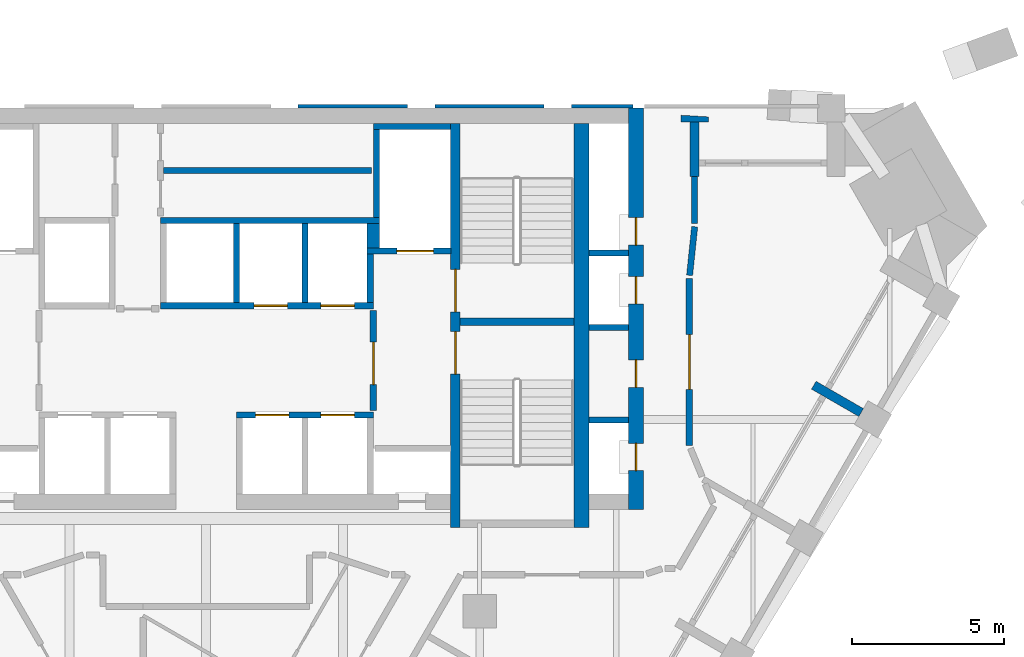
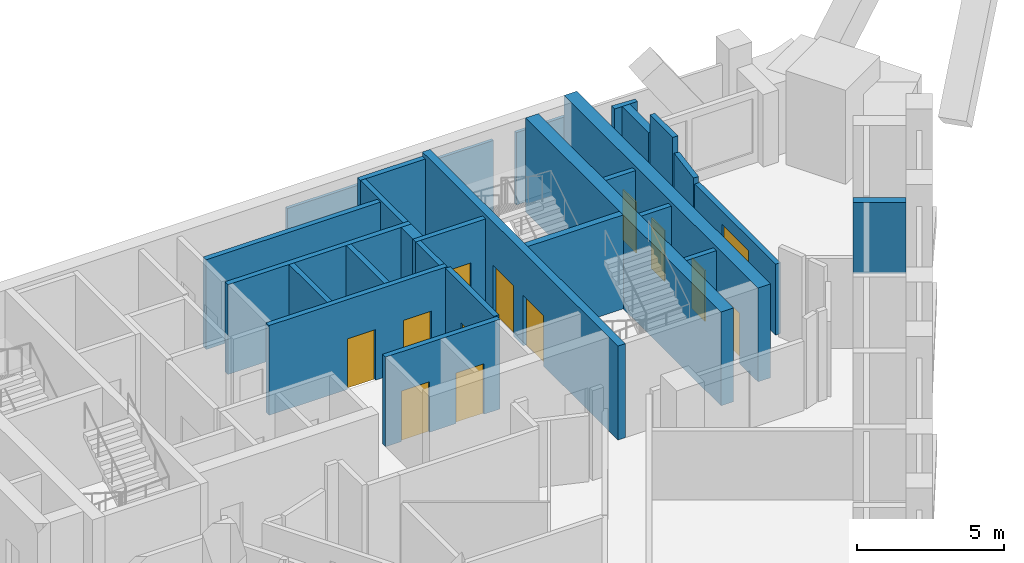
# One storey, part 7 of 9: 28 walls, 13 doors, 13 openings.
"""IFC4 building model written with IfcOpenShell, lengths in metres."""

from ifc_helpers import new_model, si_unit, direction, frame, frame_2d, origin, place, context, subcontext, project, spatial, polyline, rectangle, outline, extrude, material, layer, layer_set, type_object, element, fill, save


model = new_model("IFC4")

# Units and contexts
model_context = context("Model", 3, precision=1e-05, world=origin(), true_north=direction((0.0, 1.0)))
body_context = subcontext(model_context, "Body", "Model", "MODEL_VIEW")
ifc_project = project(units=[si_unit("LENGTHUNIT", "METRE"), si_unit("AREAUNIT", "SQUARE_METRE"), si_unit("VOLUMEUNIT", "CUBIC_METRE"), si_unit("PLANEANGLEUNIT", "RADIAN"), si_unit("MASSUNIT", "GRAM", prefix="KILO")], contexts=[model_context])

# Site, building, storey
site_placement = place(None, origin())
site = spatial("IfcSite", under=ifc_project, at=site_placement, CompositionType="ELEMENT")
building_placement = place(site_placement, origin())
building = spatial("IfcBuilding", under=site, at=building_placement, Name="Calabash Gate Tower", CompositionType="ELEMENT")
storey_placement = place(building_placement, frame((0.0, 0.0, 235.39990234375)))
storey = spatial("IfcBuildingStorey", under=building, at=storey_placement, Name="L56", CompositionType="ELEMENT", Elevation=235.39990234375)

# Walls
ifc_material_1 = material(Name="Terracotta brick masonry, exposed face", Category="masonry")
ifc_layer_1 = layer(ifc_material_1, 0.89990234375)
ifc_layer_set_1 = layer_set([ifc_layer_1], Name="Brick end wall 900")
wall_type_1 = type_object("IfcWallType", Name="Brick end wall 900", PredefinedType="SOLIDWALL", material=ifc_layer_set_1)
wall_1_placement = place(storey_placement, origin())
element("IfcWall", 1, at=wall_1_placement, inside=storey, type_object=wall_type_1, Name="Brick pier S16 N4.1", PredefinedType="SOLIDWALL", context=body_context, shape_type="SweptSolid", body=[
    extrude(outline(polyline([(16.52685546875, 18.768798828125), (15.626953125, 18.8232421875), (15.626953125, 18.6025390625), (16.52685546875, 18.6025390625), (16.52685546875, 18.768798828125)])), origin(), (0.0, 0.0, 1.0), 3.0),
])
ifc_material_2 = material(Name="Terracotta brick masonry, exposed face", Category="masonry")
ifc_layer_2 = layer(ifc_material_2, 0.300048828125)
ifc_layer_set_2 = layer_set([ifc_layer_2], Name="Brick loggia cheek wall 300")
wall_type_2 = type_object("IfcWallType", Name="Brick loggia cheek wall 300", PredefinedType="SOLIDWALL", material=ifc_layer_set_2)
wall_2_placement = place(storey_placement, frame((21.556396484375, 9.037109375, 0.0), z_axis=(0.0, 0.0, 1.0), x_axis=(-0.866047807691, 0.499961193289, 0.0)))
element("IfcWall", 2, at=wall_2_placement, inside=storey, type_object=wall_type_2, Name="Loggia cheek S16 SE2.8", PredefinedType="SOLIDWALL", context=body_context, shape_type="SweptSolid", body=[
    extrude(rectangle(XDim=1.800048828125, YDim=0.300048828125, at=frame_2d((0.89990234375, 0.0))), origin(), (0.0, 0.0, 1.0), 2.9501953125),
])
wall_3_placement = place(storey_placement, origin())
element("IfcWall", 3, at=wall_3_placement, inside=storey, type_object=wall_type_2, Name="Loggia cheek S16 N4.1", PredefinedType="SOLIDWALL", context=body_context, shape_type="SweptSolid", body=[
    extrude(outline(polyline([(15.927001953125, 18.6025390625), (15.927001953125, 16.802490234375), (16.22705078125, 16.802490234375), (16.22705078125, 18.6025390625), (15.927001953125, 18.6025390625)])), origin(), (0.0, 0.0, 1.0), 3.0),
])
ifc_material_3 = material(Name="Concrete C70/85", Category="concrete")
ifc_layer_3 = layer(ifc_material_3, 0.25)
ifc_layer_set_3 = layer_set([ifc_layer_3], Name="Core wall 250 Concrete C70/85")
wall_type_3 = type_object("IfcWallType", Name="Core wall 250 Concrete C70/85", PredefinedType="SHEAR", material=ifc_layer_set_3)
wall_4_placement = place(storey_placement, frame((8.35009765625, 12.027587890625, 0.0), z_axis=(0.0, 0.0, 1.0), x_axis=(1.0, 0.0, 0.0)))
element("IfcWall", 4, at=wall_4_placement, inside=storey, type_object=wall_type_3, Name="Core wall Z4-MIDE L56", PredefinedType="SHEAR", context=body_context, shape_type="SweptSolid", body=[
    extrude(rectangle(XDim=3.75, YDim=0.25, at=frame_2d((1.875, 0.0))), origin(), (0.0, 0.0, 1.0), 3.900146484375),
])

# Wall, openings, doors
ifc_material_4 = material(Name="Concrete C70/85", Category="concrete")
ifc_layer_4 = layer(ifc_material_4, 0.300048828125)
ifc_layer_set_4 = layer_set([ifc_layer_4], Name="Core wall 300 Concrete C70/85")
wall_type_4 = type_object("IfcWallType", Name="Core wall 300 Concrete C70/85", PredefinedType="SHEAR", material=ifc_layer_set_4)
wall_5_placement = place(storey_placement, frame((8.199951171875, 5.252685546875, 0.0), z_axis=(0.0, 0.0, 1.0), x_axis=(0.0, 1.0, 0.0)))
wall_5 = element("IfcWall", 5, at=wall_5_placement, inside=storey, type_object=wall_type_4, Name="Core wall Z4-PARTE L56", PredefinedType="SHEAR", context=body_context, shape_type="SweptSolid", body=[
    extrude(rectangle(XDim=13.2998046875, YDim=0.300048828125, at=frame_2d((6.64990234375, 0.0))), origin(), (0.0, 0.0, 1.0), 3.900146484375),
])
opening_1_placement = place(wall_5_placement, frame((7.10009765625, 0.0, 0.0)))
opening_1 = element("IfcOpeningElement", 6, at=opening_1_placement, cuts=wall_5, Name="Opening O8-019", PredefinedType="OPENING", context=body_context, shape_type="SweptSolid", body=[
    extrude(rectangle(XDim=1.39990234375, YDim=2.10009765625, at=frame_2d((0.699951171875, 1.050048828125))), frame((0.0, 0.159912109375, 0.0), z_axis=(0.0, -1.0, 0.0), x_axis=(1.0, 0.0, 0.0)), (0.0, 0.0, 1.0), 0.320068359375),
])
opening_2_placement = place(wall_5_placement, frame((5.050048828125, 0.0, 0.0)))
opening_2 = element("IfcOpeningElement", 7, at=opening_2_placement, cuts=wall_5, Name="Opening O8-020", PredefinedType="OPENING", context=body_context, shape_type="SweptSolid", body=[
    extrude(rectangle(XDim=1.39990234375, YDim=2.10009765625, at=frame_2d((0.699951171875, 1.050048828125))), frame((0.0, 0.159912109375, 0.0), z_axis=(0.0, -1.0, 0.0), x_axis=(1.0, 0.0, 0.0)), (0.0, 0.0, 1.0), 0.320068359375),
])
ifc_material_5 = material(Name="Steel fire door set with fire-resisting glazing", Category="steel")
door_type_1 = type_object("IfcDoorType", Name="Fire door D05 1400x2100 FD90", OperationType="NOTDEFINED", PredefinedType="DOOR", material=ifc_material_5)
door_1_placement = place(opening_1_placement, origin())
door_1 = element("IfcDoor", 8, at=door_1_placement, inside=storey, type_object=door_type_1, Name="Exit stair door ST3", OperationType="SINGLE_SWING_RIGHT", OverallHeight=2.10009765625, OverallWidth=1.39990234375, PredefinedType="DOOR", context=body_context, shape_type="SweptSolid", body=[
    extrude(rectangle(XDim=1.39990234375, YDim=2.10009765625, at=frame_2d((0.699951171875, 1.050048828125))), frame((0.0, 0.02490234375, 0.0), z_axis=(0.0, -1.0, 0.0), x_axis=(1.0, 0.0, 0.0)), (0.0, 0.0, 1.0), 0.050048828125),
])
fill(opening_1, door_1)
door_2_placement = place(opening_2_placement, origin())
door_2 = element("IfcDoor", 9, at=door_2_placement, inside=storey, type_object=door_type_1, Name="Exit stair door ST4", OperationType="SINGLE_SWING_LEFT", OverallHeight=2.10009765625, OverallWidth=1.39990234375, PredefinedType="DOOR", context=body_context, shape_type="SweptSolid", body=[
    extrude(rectangle(XDim=1.39990234375, YDim=2.10009765625, at=frame_2d((0.699951171875, 1.050048828125))), frame((0.0, 0.02490234375, 0.0), z_axis=(0.0, -1.0, 0.0), x_axis=(1.0, 0.0, 0.0)), (0.0, 0.0, 1.0), 0.050048828125),
])
fill(opening_2, door_2)

# Wall
ifc_material_6 = material(Name="Concrete C70/85", Category="concrete")
ifc_layer_5 = layer(ifc_material_6, 0.5)
ifc_layer_set_5 = layer_set([ifc_layer_5], Name="Core wall 500 Concrete C70/85")
wall_type_5 = type_object("IfcWallType", Name="Core wall 500 Concrete C70/85", PredefinedType="SHEAR", material=ifc_layer_set_5)
wall_6_placement = place(storey_placement, frame((12.35009765625, 5.252685546875, 0.0), z_axis=(0.0, 0.0, 1.0), x_axis=(0.0, 1.0, 0.0)))
element("IfcWall", 10, at=wall_6_placement, inside=storey, type_object=wall_type_5, Name="Core wall Z4-COLE L56", PredefinedType="SHEAR", context=body_context, shape_type="SweptSolid", body=[
    extrude(rectangle(XDim=13.2998046875, YDim=0.5, at=frame_2d((6.64990234375, 0.0))), origin(), (0.0, 0.0, 1.0), 3.900146484375),
])

# Wall, openings, doors
wall_7_placement = place(storey_placement, frame((14.14990234375, 5.8525390625, 0.0), z_axis=(0.0, 0.0, 1.0), x_axis=(0.0, 1.0, 0.0)))
wall_7 = element("IfcWall", 11, at=wall_7_placement, inside=storey, type_object=wall_type_5, Name="Core wall Z4-ENDE L56", PredefinedType="SHEAR", context=body_context, shape_type="SweptSolid", body=[
    extrude(rectangle(XDim=13.199951171875, YDim=0.5, at=frame_2d((6.60009765625, 0.0))), origin(), (0.0, 0.0, 1.0), 3.900146484375),
])
opening_3_placement = place(wall_7_placement, frame((1.27001953125, 0.0, 0.0)))
opening_3 = element("IfcOpeningElement", 12, at=opening_3_placement, cuts=wall_7, Name="Opening O8-001", PredefinedType="OPENING", context=body_context, shape_type="SweptSolid", body=[
    extrude(rectangle(XDim=0.89990234375, YDim=2.10009765625, at=frame_2d((0.449951171875, 1.050048828125))), frame((0.0, 0.260009765625, 0.0), z_axis=(0.0, -1.0, 0.0), x_axis=(1.0, 0.0, 0.0)), (0.0, 0.0, 1.0), 0.52001953125),
])
opening_4_placement = place(wall_7_placement, frame((4.014892578125, 0.0, 0.0)))
opening_4 = element("IfcOpeningElement", 13, at=opening_4_placement, cuts=wall_7, Name="Opening O8-002", PredefinedType="OPENING", context=body_context, shape_type="SweptSolid", body=[
    extrude(rectangle(XDim=0.89990234375, YDim=2.10009765625, at=frame_2d((0.449951171875, 1.050048828125))), frame((0.0, 0.260009765625, 0.0), z_axis=(0.0, -1.0, 0.0), x_axis=(1.0, 0.0, 0.0)), (0.0, 0.0, 1.0), 0.52001953125),
])
opening_5_placement = place(wall_7_placement, frame((6.760009765625, 0.0, 0.0)))
opening_5 = element("IfcOpeningElement", 14, at=opening_5_placement, cuts=wall_7, Name="Opening O8-003", PredefinedType="OPENING", context=body_context, shape_type="SweptSolid", body=[
    extrude(rectangle(XDim=0.89990234375, YDim=2.10009765625, at=frame_2d((0.449951171875, 1.050048828125))), frame((0.0, 0.260009765625, 0.0), z_axis=(0.0, -1.0, 0.0), x_axis=(1.0, 0.0, 0.0)), (0.0, 0.0, 1.0), 0.52001953125),
])
opening_6_placement = place(wall_7_placement, frame((8.697509765625, 0.0, 0.0)))
opening_6 = element("IfcOpeningElement", 15, at=opening_6_placement, cuts=wall_7, Name="Opening O8-004", PredefinedType="OPENING", context=body_context, shape_type="SweptSolid", body=[
    extrude(rectangle(XDim=0.89990234375, YDim=2.10009765625, at=frame_2d((0.449951171875, 1.050048828125))), frame((0.0, 0.260009765625, 0.0), z_axis=(0.0, -1.0, 0.0), x_axis=(1.0, 0.0, 0.0)), (0.0, 0.0, 1.0), 0.52001953125),
])
ifc_material_7 = material(Name="Steel fire door set with fire-resisting glazing", Category="steel")
door_type_2 = type_object("IfcDoorType", Name="Fire door D06 900x2100 FD60", OperationType="NOTDEFINED", PredefinedType="DOOR", material=ifc_material_7)
door_3_placement = place(opening_3_placement, origin())
door_3 = element("IfcDoor", 16, at=door_3_placement, inside=storey, type_object=door_type_2, Name="Comms Riser door", OperationType="SINGLE_SWING_LEFT", OverallHeight=2.10009765625, OverallWidth=0.89990234375, PredefinedType="DOOR", context=body_context, shape_type="SweptSolid", body=[
    extrude(rectangle(XDim=0.89990234375, YDim=2.10009765625, at=frame_2d((0.449951171875, 1.050048828125))), frame((0.0, 0.02490234375, 0.0), z_axis=(0.0, -1.0, 0.0), x_axis=(1.0, 0.0, 0.0)), (0.0, 0.0, 1.0), 0.050048828125),
])
fill(opening_3, door_3)
door_4_placement = place(opening_4_placement, origin())
door_4 = element("IfcDoor", 17, at=door_4_placement, inside=storey, type_object=door_type_2, Name="Cleaner's Store door", OperationType="SINGLE_SWING_RIGHT", OverallHeight=2.10009765625, OverallWidth=0.89990234375, PredefinedType="DOOR", context=body_context, shape_type="SweptSolid", body=[
    extrude(rectangle(XDim=0.89990234375, YDim=2.10009765625, at=frame_2d((0.449951171875, 1.050048828125))), frame((0.0, 0.02490234375, 0.0), z_axis=(0.0, -1.0, 0.0), x_axis=(1.0, 0.0, 0.0)), (0.0, 0.0, 1.0), 0.050048828125),
])
fill(opening_4, door_4)
door_5_placement = place(opening_5_placement, origin())
door_5 = element("IfcDoor", 18, at=door_5_placement, inside=storey, type_object=door_type_2, Name="Duct Riser door", OperationType="SINGLE_SWING_LEFT", OverallHeight=2.10009765625, OverallWidth=0.89990234375, PredefinedType="DOOR", context=body_context, shape_type="SweptSolid", body=[
    extrude(rectangle(XDim=0.89990234375, YDim=2.10009765625, at=frame_2d((0.449951171875, 1.050048828125))), frame((0.0, 0.02490234375, 0.0), z_axis=(0.0, -1.0, 0.0), x_axis=(1.0, 0.0, 0.0)), (0.0, 0.0, 1.0), 0.050048828125),
])
fill(opening_5, door_5)
door_6_placement = place(opening_6_placement, origin())
door_6 = element("IfcDoor", 19, at=door_6_placement, inside=storey, type_object=door_type_2, Name="Electrical Riser door", OperationType="SINGLE_SWING_LEFT", OverallHeight=2.10009765625, OverallWidth=0.89990234375, PredefinedType="DOOR", context=body_context, shape_type="SweptSolid", body=[
    extrude(rectangle(XDim=0.89990234375, YDim=2.10009765625, at=frame_2d((0.449951171875, 1.050048828125))), frame((0.0, 0.02490234375, 0.0), z_axis=(0.0, -1.0, 0.0), x_axis=(1.0, 0.0, 0.0)), (0.0, 0.0, 1.0), 0.050048828125),
])
fill(opening_6, door_6)

# Wall, opening, door
ifc_material_8 = material(Name="Gypsum board on steel studs, mineral wool", Category="steel")
ifc_layer_6 = layer(ifc_material_8, 0.199951171875)
ifc_layer_set_6 = layer_set([ifc_layer_6], Name="Partition 200 gypsum board EI 60")
wall_type_6 = type_object("IfcWallType", Name="Partition 200 gypsum board EI 60", PredefinedType="PARTITIONING", material=ifc_layer_set_6)
wall_8_placement = place(storey_placement, frame((15.900390625, 7.95263671875, 0.0), z_axis=(0.0, 0.0, 1.0), x_axis=(0.0, 1.0, 0.0)))
wall_8 = element("IfcWall", 20, at=wall_8_placement, inside=storey, type_object=wall_type_6, Name="Partition", PredefinedType="PARTITIONING", context=body_context, shape_type="SweptSolid", body=[
    extrude(rectangle(XDim=5.499755859375, YDim=0.199951171875, at=frame_2d((2.75, 0.0))), origin(), (0.0, 0.0, 1.0), 2.9501953125),
])
opening_7_placement = place(wall_8_placement, frame((1.849853515625, 0.0, 0.0)))
opening_7 = element("IfcOpeningElement", 21, at=opening_7_placement, cuts=wall_8, Name="Opening 55-57-009", PredefinedType="OPENING", context=body_context, shape_type="SweptSolid", body=[
    extrude(rectangle(XDim=1.800048828125, YDim=2.39990234375, at=frame_2d((0.89990234375, 1.199951171875))), frame((0.0, 0.10986328125, 0.0), z_axis=(0.0, -1.0, 0.0), x_axis=(1.0, 0.0, 0.0)), (0.0, 0.0, 1.0), 0.219970703125),
])
ifc_material_9 = material(Name="Steel fire door set with fire-resisting glazing", Category="steel")
door_type_3 = type_object("IfcDoorType", Name="OD5 Open office double door 1800x2400", OperationType="NOTDEFINED", PredefinedType="DOOR", material=ifc_material_9)
door_7_placement = place(opening_7_placement, origin())
door_7 = element("IfcDoor", 22, at=door_7_placement, inside=storey, type_object=door_type_3, Name="Open office double door", OperationType="DOUBLE_DOOR_SINGLE_SWING", OverallHeight=2.39990234375, OverallWidth=1.800048828125, PredefinedType="DOOR", context=body_context, shape_type="SweptSolid", body=[
    extrude(rectangle(XDim=1.800048828125, YDim=2.39990234375, at=frame_2d((0.89990234375, 1.199951171875))), frame((0.0, 0.02490234375, 0.0), z_axis=(0.0, -1.0, 0.0), x_axis=(1.0, 0.0, 0.0)), (0.0, 0.0, 1.0), 0.050048828125),
])
fill(opening_7, door_7)

# Walls
wall_9_placement = place(storey_placement, frame((15.910888671875, 13.552001953125, 0.0), z_axis=(0.0, 0.0, 1.0), x_axis=(0.103468505511, 0.994632730392, 0.0)))
element("IfcWall", 23, at=wall_9_placement, inside=storey, type_object=wall_type_6, Name="Partition", PredefinedType="PARTITIONING", context=body_context, shape_type="SweptSolid", body=[
    extrude(rectangle(XDim=1.609130859375, YDim=0.199951171875, at=frame_2d((0.8046875, 0.0))), origin(), (0.0, 0.0, 1.0), 3.128173828125),
])
wall_10_placement = place(storey_placement, frame((16.077392578125, 15.25244140625, 0.0), z_axis=(0.0, 0.0, 1.0), x_axis=(0.0, 1.0, 0.0)))
element("IfcWall", 24, at=wall_10_placement, inside=storey, type_object=wall_type_6, Name="Partition", PredefinedType="PARTITIONING", context=body_context, shape_type="SweptSolid", body=[
    extrude(rectangle(XDim=1.550048828125, YDim=0.199951171875, at=frame_2d((0.77490234375, 0.0))), origin(), (0.0, 0.0, 1.0), 3.72998046875),
])
ifc_material_10 = material(Name="Concrete C40/50", Category="concrete")
ifc_layer_7 = layer(ifc_material_10, 0.199951171875)
ifc_layer_set_7 = layer_set([ifc_layer_7], Name="Shaft wall 200 Concrete C40/50")
wall_type_7 = type_object("IfcWallType", Name="Shaft wall 200 Concrete C40/50", PredefinedType="SOLIDWALL", material=ifc_layer_set_7)
wall_11_placement = place(storey_placement, frame((12.60009765625, 8.79248046875, 0.0), z_axis=(0.0, 0.0, 1.0), x_axis=(1.0, 0.0, 0.0)))
element("IfcWall", 25, at=wall_11_placement, inside=storey, type_object=wall_type_7, Name="Shaft wall", PredefinedType="SOLIDWALL", context=body_context, shape_type="SweptSolid", body=[
    extrude(rectangle(XDim=1.2998046875, YDim=0.199951171875, at=frame_2d((0.64990234375, 0.0))), origin(), (0.0, 0.0, 1.0), 3.72998046875),
])

# Wall, openings, doors
wall_12_placement = place(storey_placement, frame((1.0, 8.95263671875, 0.0), z_axis=(0.0, 0.0, 1.0), x_axis=(1.0, 0.0, 0.0)))
wall_12 = element("IfcWall", 26, at=wall_12_placement, inside=storey, type_object=wall_type_7, Name="Shaft wall", PredefinedType="SOLIDWALL", context=body_context, shape_type="SweptSolid", body=[
    extrude(rectangle(XDim=4.5, YDim=0.199951171875, at=frame_2d((2.25, 0.0))), origin(), (0.0, 0.0, 1.0), 3.72998046875),
])
opening_8_placement = place(wall_12_placement, frame((0.625, 0.0, 0.0)))
opening_8 = element("IfcOpeningElement", 27, at=opening_8_placement, cuts=wall_12, Name="Opening LD-HR3", PredefinedType="OPENING", context=body_context, shape_type="SweptSolid", body=[
    extrude(rectangle(XDim=1.10009765625, YDim=2.10009765625, at=frame_2d((0.550048828125, 1.050048828125))), frame((0.0, 0.10986328125, 0.0), z_axis=(0.0, -1.0, 0.0), x_axis=(1.0, 0.0, 0.0)), (0.0, 0.0, 1.0), 0.219970703125),
])
opening_9_placement = place(wall_12_placement, frame((2.77490234375, 0.0, 0.0)))
opening_9 = element("IfcOpeningElement", 28, at=opening_9_placement, cuts=wall_12, Name="Opening LD-HR4", PredefinedType="OPENING", context=body_context, shape_type="SweptSolid", body=[
    extrude(rectangle(XDim=1.10009765625, YDim=2.10009765625, at=frame_2d((0.550048828125, 1.050048828125))), frame((0.0, 0.10986328125, 0.0), z_axis=(0.0, -1.0, 0.0), x_axis=(1.0, 0.0, 0.0)), (0.0, 0.0, 1.0), 0.219970703125),
])
ifc_material_11 = material(Name="Stainless steel sliding door leaves", Category="steel")
door_type_4 = type_object("IfcDoorType", Name="Lift landing door LS1 1100x2100 FD90", OperationType="DOUBLE_DOOR_SLIDING", PredefinedType="DOOR", material=ifc_material_11)
door_8_placement = place(opening_8_placement, origin())
door_8 = element("IfcDoor", 29, at=door_8_placement, inside=storey, type_object=door_type_4, Name="Lift landing door HR3", OperationType="DOUBLE_DOOR_SLIDING", OverallHeight=2.10009765625, OverallWidth=1.10009765625, PredefinedType="DOOR", context=body_context, shape_type="SweptSolid", body=[
    extrude(rectangle(XDim=1.10009765625, YDim=2.10009765625, at=frame_2d((0.550048828125, 1.050048828125))), frame((0.0, 0.02490234375, 0.0), z_axis=(0.0, -1.0, 0.0), x_axis=(1.0, 0.0, 0.0)), (0.0, 0.0, 1.0), 0.050048828125),
])
fill(opening_8, door_8)
door_9_placement = place(opening_9_placement, origin())
door_9 = element("IfcDoor", 30, at=door_9_placement, inside=storey, type_object=door_type_4, Name="Lift landing door HR4", OperationType="DOUBLE_DOOR_SLIDING", OverallHeight=2.10009765625, OverallWidth=1.10009765625, PredefinedType="DOOR", context=body_context, shape_type="SweptSolid", body=[
    extrude(rectangle(XDim=1.10009765625, YDim=2.10009765625, at=frame_2d((0.550048828125, 1.050048828125))), frame((0.0, 0.02490234375, 0.0), z_axis=(0.0, -1.0, 0.0), x_axis=(1.0, 0.0, 0.0)), (0.0, 0.0, 1.0), 0.050048828125),
])
fill(opening_9, door_9)

# Wall, opening, door
wall_13_placement = place(storey_placement, frame((5.5, 9.1025390625, 0.0), z_axis=(0.0, 0.0, 1.0), x_axis=(0.0, 1.0, 0.0)))
wall_13 = element("IfcWall", 31, at=wall_13_placement, inside=storey, type_object=wall_type_7, Name="Shaft wall", PredefinedType="SOLIDWALL", context=body_context, shape_type="SweptSolid", body=[
    extrude(rectangle(XDim=3.300048828125, YDim=0.199951171875, at=frame_2d((1.64990234375, 0.0))), origin(), (0.0, 0.0, 1.0), 3.72998046875),
])
opening_10_placement = place(wall_13_placement, frame((0.85009765625, 0.0, 0.0)))
opening_10 = element("IfcOpeningElement", 32, at=opening_10_placement, cuts=wall_13, Name="Opening O8-010", PredefinedType="OPENING", context=body_context, shape_type="SweptSolid", body=[
    extrude(rectangle(XDim=1.39990234375, YDim=2.10009765625, at=frame_2d((0.699951171875, 1.050048828125))), frame((0.0, 0.10986328125, 0.0), z_axis=(0.0, -1.0, 0.0), x_axis=(1.0, 0.0, 0.0)), (0.0, 0.0, 1.0), 0.219970703125),
])
door_10_placement = place(opening_10_placement, origin())
door_10 = element("IfcDoor", 33, at=door_10_placement, inside=storey, type_object=door_type_1, Name="Firefighting Lobby E door", OperationType="SINGLE_SWING_LEFT", OverallHeight=2.10009765625, OverallWidth=1.39990234375, PredefinedType="DOOR", context=body_context, shape_type="SweptSolid", body=[
    extrude(rectangle(XDim=1.39990234375, YDim=2.10009765625, at=frame_2d((0.699951171875, 1.050048828125))), frame((0.0, 0.02490234375, 0.0), z_axis=(0.0, -1.0, 0.0), x_axis=(1.0, 0.0, 0.0)), (0.0, 0.0, 1.0), 0.050048828125),
])
fill(opening_10, door_10)

# Wall
wall_14_placement = place(storey_placement, frame((12.60009765625, 11.842529296875, 0.0), z_axis=(0.0, 0.0, 1.0), x_axis=(1.0, 0.0, 0.0)))
element("IfcWall", 34, at=wall_14_placement, inside=storey, type_object=wall_type_7, Name="Shaft wall", PredefinedType="SOLIDWALL", context=body_context, shape_type="SweptSolid", body=[
    extrude(rectangle(XDim=1.2998046875, YDim=0.199951171875, at=frame_2d((0.64990234375, 0.0))), origin(), (0.0, 0.0, 1.0), 3.72998046875),
])

# Wall, openings, doors
wall_15_placement = place(storey_placement, frame((-1.5, 12.552490234375, 0.0), z_axis=(0.0, 0.0, 1.0), x_axis=(1.0, 0.0, 0.0)))
wall_15 = element("IfcWall", 35, at=wall_15_placement, inside=storey, type_object=wall_type_7, Name="Shaft wall", PredefinedType="SOLIDWALL", context=body_context, shape_type="SweptSolid", body=[
    extrude(rectangle(XDim=7.0, YDim=0.199951171875, at=frame_2d((3.5, 0.0))), origin(), (0.0, 0.0, 1.0), 3.72998046875),
])
opening_11_placement = place(wall_15_placement, frame((3.074951171875, 0.0, 0.0)))
opening_11 = element("IfcOpeningElement", 36, at=opening_11_placement, cuts=wall_15, Name="Opening LD-HR5", PredefinedType="OPENING", context=body_context, shape_type="SweptSolid", body=[
    extrude(rectangle(XDim=1.10009765625, YDim=2.10009765625, at=frame_2d((0.550048828125, 1.050048828125))), frame((0.0, 0.10986328125, 0.0), z_axis=(0.0, -1.0, 0.0), x_axis=(1.0, 0.0, 0.0)), (0.0, 0.0, 1.0), 0.219970703125),
])
opening_12_placement = place(wall_15_placement, frame((5.27490234375, 0.0, 0.0)))
opening_12 = element("IfcOpeningElement", 37, at=opening_12_placement, cuts=wall_15, Name="Opening LD-HR6", PredefinedType="OPENING", context=body_context, shape_type="SweptSolid", body=[
    extrude(rectangle(XDim=1.10009765625, YDim=2.10009765625, at=frame_2d((0.550048828125, 1.050048828125))), frame((0.0, 0.10986328125, 0.0), z_axis=(0.0, -1.0, 0.0), x_axis=(1.0, 0.0, 0.0)), (0.0, 0.0, 1.0), 0.219970703125),
])
door_11_placement = place(opening_11_placement, origin())
door_11 = element("IfcDoor", 38, at=door_11_placement, inside=storey, type_object=door_type_4, Name="Lift landing door HR5", OperationType="DOUBLE_DOOR_SLIDING", OverallHeight=2.10009765625, OverallWidth=1.10009765625, PredefinedType="DOOR", context=body_context, shape_type="SweptSolid", body=[
    extrude(rectangle(XDim=1.10009765625, YDim=2.10009765625, at=frame_2d((0.550048828125, 1.050048828125))), frame((0.0, 0.02490234375, 0.0), z_axis=(0.0, -1.0, 0.0), x_axis=(1.0, 0.0, 0.0)), (0.0, 0.0, 1.0), 0.050048828125),
])
fill(opening_11, door_11)
door_12_placement = place(opening_12_placement, origin())
door_12 = element("IfcDoor", 39, at=door_12_placement, inside=storey, type_object=door_type_4, Name="Lift landing door HR6", OperationType="DOUBLE_DOOR_SLIDING", OverallHeight=2.10009765625, OverallWidth=1.10009765625, PredefinedType="DOOR", context=body_context, shape_type="SweptSolid", body=[
    extrude(rectangle(XDim=1.10009765625, YDim=2.10009765625, at=frame_2d((0.550048828125, 1.050048828125))), frame((0.0, 0.02490234375, 0.0), z_axis=(0.0, -1.0, 0.0), x_axis=(1.0, 0.0, 0.0)), (0.0, 0.0, 1.0), 0.050048828125),
])
fill(opening_12, door_12)

# Walls
for number, where, z_axis, x_axis, name in (
    (40, (1.0, 12.652587890625, 0.0), (0.0, 0.0, 1.0), (0.0, 1.0, 0.0), "Shaft wall"),
    (41, (3.25, 12.652587890625, 0.0), (0.0, 0.0, 1.0), (0.0, 1.0, 0.0), "Shaft wall"),
):
    element("IfcWall", number, at=place(storey_placement, frame(where, z_axis=z_axis, x_axis=x_axis)), inside=storey, type_object=wall_type_7, Name=name, PredefinedType="SOLIDWALL", context=body_context, shape_type="SweptSolid", body=[
        extrude(rectangle(XDim=2.60009765625, YDim=0.199951171875, at=frame_2d((1.300048828125, 0.0))), origin(), (0.0, 0.0, 1.0), 3.72998046875),
    ])
wall_16_placement = place(storey_placement, frame((5.39990234375, 12.652587890625, 0.0), z_axis=(0.0, 0.0, 1.0), x_axis=(0.0, 1.0, 0.0)))
element("IfcWall", 42, at=wall_16_placement, inside=storey, type_object=wall_type_7, Name="Shaft wall", PredefinedType="SOLIDWALL", context=body_context, shape_type="SweptSolid", body=[
    extrude(rectangle(XDim=1.60009765625, YDim=0.199951171875, at=frame_2d((0.800048828125, 0.0))), origin(), (0.0, 0.0, 1.0), 3.72998046875),
])
wall_17_placement = place(storey_placement, frame((12.60009765625, 14.28271484375, 0.0), z_axis=(0.0, 0.0, 1.0), x_axis=(1.0, 0.0, 0.0)))
element("IfcWall", 43, at=wall_17_placement, inside=storey, type_object=wall_type_7, Name="Shaft wall", PredefinedType="SOLIDWALL", context=body_context, shape_type="SweptSolid", body=[
    extrude(rectangle(XDim=1.2998046875, YDim=0.199951171875, at=frame_2d((0.64990234375, 0.0))), origin(), (0.0, 0.0, 1.0), 3.72998046875),
])

# Wall, opening, door
wall_18_placement = place(storey_placement, frame((5.300048828125, 14.3525390625, 0.0), z_axis=(0.0, 0.0, 1.0), x_axis=(1.0, 0.0, 0.0)))
wall_18 = element("IfcWall", 44, at=wall_18_placement, inside=storey, type_object=wall_type_7, Name="Shaft wall", PredefinedType="SOLIDWALL", context=body_context, shape_type="SweptSolid", body=[
    extrude(rectangle(XDim=2.75, YDim=0.199951171875, at=frame_2d((1.375, 0.0))), origin(), (0.0, 0.0, 1.0), 3.72998046875),
])
opening_13_placement = place(wall_18_placement, frame((0.97509765625, 0.0, 0.0)))
opening_13 = element("IfcOpeningElement", 45, at=opening_13_placement, cuts=wall_18, Name="Opening LD-FF2", PredefinedType="OPENING", context=body_context, shape_type="SweptSolid", body=[
    extrude(rectangle(XDim=1.199951171875, YDim=2.10009765625, at=frame_2d((0.60009765625, 1.050048828125))), frame((0.0, 0.10986328125, 0.0), z_axis=(0.0, -1.0, 0.0), x_axis=(1.0, 0.0, 0.0)), (0.0, 0.0, 1.0), 0.219970703125),
])
ifc_material_12 = material(Name="Stainless steel sliding door leaves", Category="steel")
door_type_5 = type_object("IfcDoorType", Name="Lift landing door LS3 1200x2100 FD90", OperationType="DOUBLE_DOOR_SLIDING", PredefinedType="DOOR", material=ifc_material_12)
door_13_placement = place(opening_13_placement, origin())
door_13 = element("IfcDoor", 46, at=door_13_placement, inside=storey, type_object=door_type_5, Name="Lift landing door FF2", OperationType="DOUBLE_DOOR_SLIDING", OverallHeight=2.10009765625, OverallWidth=1.199951171875, PredefinedType="DOOR", context=body_context, shape_type="SweptSolid", body=[
    extrude(rectangle(XDim=1.199951171875, YDim=2.10009765625, at=frame_2d((0.60009765625, 1.050048828125))), frame((0.0, 0.02490234375, 0.0), z_axis=(0.0, -1.0, 0.0), x_axis=(1.0, 0.0, 0.0)), (0.0, 0.0, 1.0), 0.050048828125),
])
fill(opening_13, door_13)

# Walls
wall_19_placement = place(storey_placement, frame((5.5, 14.45263671875, 0.0), z_axis=(0.0, 0.0, 1.0), x_axis=(0.0, 1.0, 0.0)))
element("IfcWall", 47, at=wall_19_placement, inside=storey, type_object=wall_type_7, Name="Shaft wall", PredefinedType="SOLIDWALL", context=body_context, shape_type="SweptSolid", body=[
    extrude(rectangle(XDim=0.800048828125, YDim=0.39990234375, at=frame_2d((0.39990234375, 0.0))), origin(), (0.0, 0.0, 1.0), 3.72998046875),
])
wall_20_placement = place(storey_placement, frame((-1.5, 15.3525390625, 0.0), z_axis=(0.0, 0.0, 1.0), x_axis=(1.0, 0.0, 0.0)))
element("IfcWall", 48, at=wall_20_placement, inside=storey, type_object=wall_type_7, Name="Shaft wall", PredefinedType="SOLIDWALL", context=body_context, shape_type="SweptSolid", body=[
    extrude(rectangle(XDim=7.199951171875, YDim=0.199951171875, at=frame_2d((3.60009765625, 0.0))), origin(), (0.0, 0.0, 1.0), 3.72998046875),
])
wall_21_placement = place(storey_placement, frame((5.60009765625, 15.45263671875, 0.0), z_axis=(0.0, 0.0, 1.0), x_axis=(0.0, 1.0, 0.0)))
element("IfcWall", 49, at=wall_21_placement, inside=storey, type_object=wall_type_7, Name="Shaft wall", PredefinedType="SOLIDWALL", context=body_context, shape_type="SweptSolid", body=[
    extrude(rectangle(XDim=2.89990234375, YDim=0.199951171875, at=frame_2d((1.449951171875, 0.0))), origin(), (0.0, 0.0, 1.0), 3.72998046875),
])
wall_22_placement = place(storey_placement, frame((-1.39990234375, 17.002685546875, 0.0), z_axis=(0.0, 0.0, 1.0), x_axis=(1.0, 0.0, 0.0)))
element("IfcWall", 50, at=wall_22_placement, inside=storey, type_object=wall_type_7, Name="Shaft wall", PredefinedType="SOLIDWALL", context=body_context, shape_type="SweptSolid", body=[
    extrude(rectangle(XDim=6.849853515625, YDim=0.199951171875, at=frame_2d((3.4248046875, 0.0))), origin(), (0.0, 0.0, 1.0), 3.72998046875),
])
wall_23_placement = place(storey_placement, frame((5.5, 18.45263671875, 0.0), z_axis=(0.0, 0.0, 1.0), x_axis=(1.0, 0.0, 0.0)))
element("IfcWall", 51, at=wall_23_placement, inside=storey, type_object=wall_type_7, Name="Shaft wall", PredefinedType="SOLIDWALL", context=body_context, shape_type="SweptSolid", body=[
    extrude(rectangle(XDim=2.550048828125, YDim=0.199951171875, at=frame_2d((1.27490234375, 0.0))), origin(), (0.0, 0.0, 1.0), 3.72998046875),
])
ifc_material_13 = material(Name="Terracotta brick masonry, perforated", Category="masonry")
ifc_layer_8 = layer(ifc_material_13, 0.1201171875)
ifc_layer_set_8 = layer_set([ifc_layer_8], Name="Terracotta jaali cladding B 120")
wall_type_8 = type_object("IfcWallType", Name="Terracotta jaali cladding B 120", PredefinedType="SOLIDWALL", material=ifc_layer_set_8)
wall_24_placement = place(storey_placement, origin())
element("IfcWall", 52, at=wall_24_placement, inside=storey, type_object=wall_type_8, Name="Jaali cladding S16 N4.3", PredefinedType="SOLIDWALL", context=body_context, shape_type="SweptSolid", body=[
    extrude(outline(polyline([(7.52685546875, 19.172607421875), (7.52685546875, 19.052490234375), (11.126953125, 19.052490234375), (11.126953125, 19.172607421875), (7.52685546875, 19.172607421875)])), origin(), (0.0, 0.0, 1.0), 3.0),
])
ifc_material_14 = material(Name="Terracotta louvre blades in an aluminium frame", Category="masonry")
ifc_layer_9 = layer(ifc_material_14, 0.1201171875)
ifc_layer_set_9 = layer_set([ifc_layer_9], Name="Terracotta vent louvre cladding 120")
wall_type_9 = type_object("IfcWallType", Name="Terracotta vent louvre cladding 120", PredefinedType="ELEMENTEDWALL", material=ifc_layer_set_9)
wall_25_placement = place(storey_placement, origin())
element("IfcWall", 53, at=wall_25_placement, inside=storey, type_object=wall_type_9, Name="Vent louvre cladding S16 N4.2", PredefinedType="ELEMENTEDWALL", context=body_context, shape_type="SweptSolid", body=[
    extrude(outline(polyline([(14.0439453125, 19.172607421875), (12.02685546875, 19.172607421875), (12.02685546875, 19.052490234375), (14.0439453125, 19.052490234375), (14.0439453125, 19.172607421875)])), origin(), (0.0, 0.0, 1.0), 3.0),
])
wall_26_placement = place(storey_placement, origin())
element("IfcWall", 54, at=wall_26_placement, inside=storey, type_object=wall_type_9, Name="Vent louvre cladding S16 N4.4", PredefinedType="ELEMENTEDWALL", context=body_context, shape_type="SweptSolid", body=[
    extrude(outline(polyline([(3.02685546875, 19.172607421875), (3.02685546875, 19.052490234375), (6.626953125, 19.052490234375), (6.626953125, 19.172607421875), (3.02685546875, 19.172607421875)])), origin(), (0.0, 0.0, 1.0), 3.0),
])

save(model, "model.ifc")
